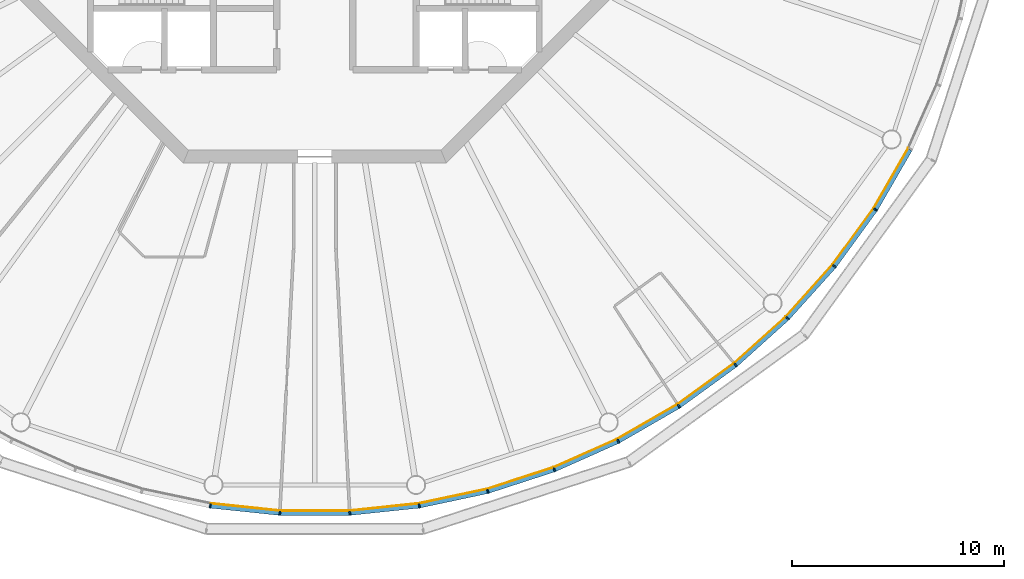
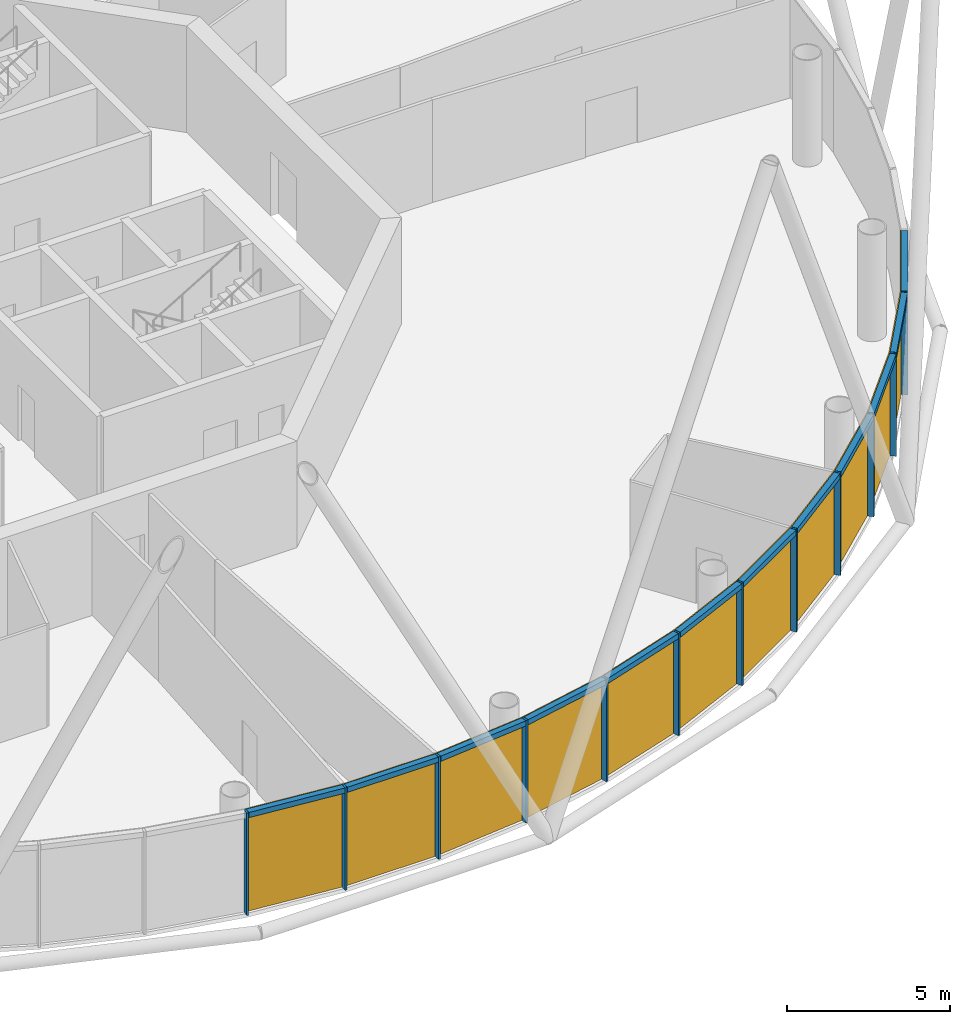
# One storey, part 8 of 13: 24 members, 4 curtain walls.
"""IFC4 building model written with IfcOpenShell, lengths in metres."""

from ifc_helpers import new_model, si_unit, direction, frame, origin, origin_2d, place, context, subcontext, project, spatial, polyline, rectangle, outline, extrude, material, layer, layer_set, material_profile, profile_set, type_object, element, aggregate, save


model = new_model("IFC4")

# Units and contexts
model_context = context("Model", 3, precision=1e-05, world=origin(), true_north=direction((0.0, 1.0)))
body_context = subcontext(model_context, "Body", "Model", "MODEL_VIEW")
ifc_project = project(units=[si_unit("LENGTHUNIT", "METRE"), si_unit("AREAUNIT", "SQUARE_METRE"), si_unit("VOLUMEUNIT", "CUBIC_METRE"), si_unit("PLANEANGLEUNIT", "RADIAN"), si_unit("MASSUNIT", "GRAM", prefix="KILO")], contexts=[model_context])

# Member
ifc_material_1 = material(Name="Anodised aluminium", Category="aluminium")
ifc_material_profile_1 = material_profile(ifc_material_1, rectangle(XDim=0.070068359375, YDim=0.205078125, at=origin_2d()), Name="Mullion 70 x 205 mm anodised aluminium")
ifc_profile_set_1 = profile_set([ifc_material_profile_1], Name="Anodised aluminium")
member_type_1 = type_object("IfcMemberType", Name="Mullion 70 x 205 mm anodised aluminium", PredefinedType="MULLION", material=ifc_profile_set_1)
site_placement = place(None, origin())
building_placement = place(site_placement, origin())
storey_placement = place(building_placement, frame((0.0, 0.0, 372.0)))
member_1_placement = place(storey_placement, frame((85.056396484375, 48.78662109375, 0.0), z_axis=(0.0, 0.0, 1.0), x_axis=(0.987688340595, -0.15643446504, 0.0)))
member_1 = element("IfcMember", 1, at=member_1_placement, type_object=member_type_1, Name="MULLION L86-42", PredefinedType="MULLION", context=body_context, shape_type="SweptSolid", body=[
    extrude(rectangle(XDim=0.070068359375, YDim=0.205078125, at=origin_2d()), origin(), (0.0, 0.0, 1.0), 3.85009765625),
])

member_2_placement = place(storey_placement, frame((88.345947265625, 48.44091796875, 0.0), z_axis=(0.0, 0.0, 1.0), x_axis=(0.998629534755, -0.052335956243, 0.0)))
member_2 = element("IfcMember", 2, at=member_2_placement, type_object=member_type_1, Name="MULLION L86-43", PredefinedType="MULLION", context=body_context, shape_type="SweptSolid", body=[
    extrude(rectangle(XDim=0.070068359375, YDim=0.205078125, at=origin_2d()), origin(), (0.0, 0.0, 1.0), 3.85009765625),
])

member_3_placement = place(storey_placement, frame((91.654052734375, 48.44091796875, 0.0), z_axis=(0.0, 0.0, 1.0), x_axis=(0.998629534755, 0.052335956243, 0.0)))
member_3 = element("IfcMember", 3, at=member_3_placement, type_object=member_type_1, Name="MULLION L86-44", PredefinedType="MULLION", context=body_context, shape_type="SweptSolid", body=[
    extrude(rectangle(XDim=0.070068359375, YDim=0.205078125, at=origin_2d()), origin(), (0.0, 0.0, 1.0), 3.85009765625),
])

member_4_placement = place(storey_placement, frame((94.943603515625, 48.78662109375, 0.0), z_axis=(0.0, 0.0, 1.0), x_axis=(0.987688340595, 0.15643446504, 0.0)))
member_4 = element("IfcMember", 4, at=member_4_placement, type_object=member_type_1, Name="MULLION L86-45", PredefinedType="MULLION", context=body_context, shape_type="SweptSolid", body=[
    extrude(rectangle(XDim=0.070068359375, YDim=0.205078125, at=origin_2d()), origin(), (0.0, 0.0, 1.0), 3.85009765625),
])

member_5_placement = place(storey_placement, frame((98.179443359375, 49.474365234375, 0.0), z_axis=(0.0, 0.0, 1.0), x_axis=(0.965925826289, 0.258819045103, 0.0)))
member_5 = element("IfcMember", 5, at=member_5_placement, type_object=member_type_1, Name="MULLION L86-46", PredefinedType="MULLION", context=body_context, shape_type="SweptSolid", body=[
    extrude(rectangle(XDim=0.070068359375, YDim=0.205078125, at=origin_2d()), origin(), (0.0, 0.0, 1.0), 3.85009765625),
])

member_6_placement = place(storey_placement, frame((101.325439453125, 50.49658203125, 0.0), z_axis=(0.0, 0.0, 1.0), x_axis=(0.933580426497, 0.358367949545, 0.0)))
member_6 = element("IfcMember", 6, at=member_6_placement, type_object=member_type_1, Name="MULLION L86-47", PredefinedType="MULLION", context=body_context, shape_type="SweptSolid", body=[
    extrude(rectangle(XDim=0.070068359375, YDim=0.205078125, at=origin_2d()), origin(), (0.0, 0.0, 1.0), 3.85009765625),
])

member_7_placement = place(storey_placement, frame((104.34716796875, 51.842041015625, 0.0), z_axis=(0.0, 0.0, 1.0), x_axis=(0.891006524188, 0.45399049974, 0.0)))
member_7 = element("IfcMember", 7, at=member_7_placement, type_object=member_type_1, Name="MULLION L86-48", PredefinedType="MULLION", context=body_context, shape_type="SweptSolid", body=[
    extrude(rectangle(XDim=0.070068359375, YDim=0.205078125, at=origin_2d()), origin(), (0.0, 0.0, 1.0), 3.85009765625),
])

member_8_placement = place(storey_placement, frame((107.2119140625, 53.495849609375, 0.0), z_axis=(0.0, 0.0, 1.0), x_axis=(0.838670567945, 0.544639035015, 0.0)))
member_8 = element("IfcMember", 8, at=member_8_placement, type_object=member_type_1, Name="MULLION L86-49", PredefinedType="MULLION", context=body_context, shape_type="SweptSolid", body=[
    extrude(rectangle(XDim=0.070068359375, YDim=0.205078125, at=origin_2d()), origin(), (0.0, 0.0, 1.0), 3.85009765625),
])

member_9_placement = place(storey_placement, frame((109.88818359375, 55.440185546875, 0.0), z_axis=(0.0, 0.0, 1.0), x_axis=(0.777145961457, 0.62932039105, 0.0)))
member_9 = element("IfcMember", 9, at=member_9_placement, type_object=member_type_1, Name="MULLION L86-50", PredefinedType="MULLION", context=body_context, shape_type="SweptSolid", body=[
    extrude(rectangle(XDim=0.070068359375, YDim=0.205078125, at=origin_2d()), origin(), (0.0, 0.0, 1.0), 3.85009765625),
])

member_10_placement = place(storey_placement, frame((112.346435546875, 57.653564453125, 0.0), z_axis=(0.0, 0.0, 1.0), x_axis=(0.707106781187, 0.707106781187, 0.0)))
member_10 = element("IfcMember", 10, at=member_10_placement, type_object=member_type_1, Name="MULLION L86-51", PredefinedType="MULLION", context=body_context, shape_type="SweptSolid", body=[
    extrude(rectangle(XDim=0.070068359375, YDim=0.205078125, at=origin_2d()), origin(), (0.0, 0.0, 1.0), 3.85009765625),
])

member_11_placement = place(storey_placement, frame((114.559814453125, 60.11181640625, 0.0), z_axis=(0.0, 0.0, 1.0), x_axis=(0.62932039105, 0.777145961457, 0.0)))
member_11 = element("IfcMember", 11, at=member_11_placement, type_object=member_type_1, Name="MULLION L86-52", PredefinedType="MULLION", context=body_context, shape_type="SweptSolid", body=[
    extrude(rectangle(XDim=0.070068359375, YDim=0.205078125, at=origin_2d()), origin(), (0.0, 0.0, 1.0), 3.85009765625),
])

member_12_placement = place(storey_placement, frame((116.504150390625, 62.7880859375, 0.0), z_axis=(0.0, 0.0, 1.0), x_axis=(0.544639035015, 0.838670567945, 0.0)))
member_12 = element("IfcMember", 12, at=member_12_placement, type_object=member_type_1, Name="MULLION L86-53", PredefinedType="MULLION", context=body_context, shape_type="SweptSolid", body=[
    extrude(rectangle(XDim=0.070068359375, YDim=0.205078125, at=origin_2d()), origin(), (0.0, 0.0, 1.0), 3.85009765625),
])

ifc_material_2 = material(Name="Anodised aluminium", Category="aluminium")
ifc_material_profile_2 = material_profile(ifc_material_2, rectangle(XDim=0.205078125, YDim=0.195068359375, at=origin_2d()), Name="Transom 195 x 205 mm anodised aluminium")
ifc_profile_set_2 = profile_set([ifc_material_profile_2], Name="Anodised aluminium")
member_type_2 = type_object("IfcMemberType", Name="Transom 195 x 205 mm anodised aluminium", PredefinedType="USERDEFINED", material=ifc_profile_set_2)
member_13_placement = place(storey_placement, frame((85.096435546875, 48.7822265625, 3.75244140625), z_axis=(0.994519537956, -0.104550890115, 0.0), x_axis=(0.104550890115, 0.994519537956, 0.0)))
member_13 = element("IfcMember", 13, at=member_13_placement, type_object=member_type_2, Name="TRANSOM L86-42", ObjectType="TRANSOM", PredefinedType="USERDEFINED", context=body_context, shape_type="SweptSolid", body=[
    extrude(rectangle(XDim=0.205078125, YDim=0.195068359375, at=origin_2d()), origin(), (0.0, 0.0, 1.0), 3.22705078125),
])

member_14_placement = place(storey_placement, frame((88.386474609375, 48.440673828125, 3.75244140625), z_axis=(1.0, 0.0, 0.0), x_axis=(0.0, 1.0, 0.0)))
member_14 = element("IfcMember", 14, at=member_14_placement, type_object=member_type_2, Name="TRANSOM L86-43", ObjectType="TRANSOM", PredefinedType="USERDEFINED", context=body_context, shape_type="SweptSolid", body=[
    extrude(rectangle(XDim=0.205078125, YDim=0.195068359375, at=origin_2d()), origin(), (0.0, 0.0, 1.0), 3.22705078125),
])

member_15_placement = place(storey_placement, frame((91.694091796875, 48.44482421875, 3.75244140625), z_axis=(0.994519537956, 0.104550890115, 0.0), x_axis=(-0.104550890115, 0.994519537956, 0.0)))
member_15 = element("IfcMember", 15, at=member_15_placement, type_object=member_type_2, Name="TRANSOM L86-44", ObjectType="TRANSOM", PredefinedType="USERDEFINED", context=body_context, shape_type="SweptSolid", body=[
    extrude(rectangle(XDim=0.205078125, YDim=0.195068359375, at=origin_2d()), origin(), (0.0, 0.0, 1.0), 3.22705078125),
])

member_16_placement = place(storey_placement, frame((94.983154296875, 48.794921875, 3.75244140625), z_axis=(0.978153082647, 0.207885898771, 0.0), x_axis=(-0.207885898771, 0.978153082647, 0.0)))
member_16 = element("IfcMember", 16, at=member_16_placement, type_object=member_type_2, Name="TRANSOM L86-45", ObjectType="TRANSOM", PredefinedType="USERDEFINED", context=body_context, shape_type="SweptSolid", body=[
    extrude(rectangle(XDim=0.205078125, YDim=0.195068359375, at=origin_2d()), origin(), (0.0, 0.0, 1.0), 3.227294921875),
])

member_17_placement = place(storey_placement, frame((98.2177734375, 49.486572265625, 3.75244140625), z_axis=(0.951046855117, 0.309046726844, 0.0), x_axis=(-0.309046726844, 0.951046855117, 0.0)))
member_17 = element("IfcMember", 17, at=member_17_placement, type_object=member_type_2, Name="TRANSOM L86-46", ObjectType="TRANSOM", PredefinedType="USERDEFINED", context=body_context, shape_type="SweptSolid", body=[
    extrude(rectangle(XDim=0.205078125, YDim=0.195068359375, at=origin_2d()), origin(), (0.0, 0.0, 1.0), 3.22705078125),
])

member_18_placement = place(storey_placement, frame((101.3623046875, 50.5126953125, 3.75244140625), z_axis=(0.913521178731, 0.406791170024, 0.0), x_axis=(-0.406791170024, 0.913521178731, 0.0)))
member_18 = element("IfcMember", 18, at=member_18_placement, type_object=member_type_2, Name="TRANSOM L86-47", ObjectType="TRANSOM", PredefinedType="USERDEFINED", context=body_context, shape_type="SweptSolid", body=[
    extrude(rectangle(XDim=0.205078125, YDim=0.195068359375, at=origin_2d()), origin(), (0.0, 0.0, 1.0), 3.22705078125),
])

member_19_placement = place(storey_placement, frame((104.38232421875, 51.862060546875, 3.75244140625), z_axis=(0.866023062494, 0.500004055213, 0.0), x_axis=(-0.500004055213, 0.866023062494, 0.0)))
member_19 = element("IfcMember", 19, at=member_19_placement, type_object=member_type_2, Name="TRANSOM L86-48", ObjectType="TRANSOM", PredefinedType="USERDEFINED", context=body_context, shape_type="SweptSolid", body=[
    extrude(rectangle(XDim=0.205078125, YDim=0.195068359375, at=origin_2d()), origin(), (0.0, 0.0, 1.0), 3.22705078125),
])

member_20_placement = place(storey_placement, frame((107.24462890625, 53.51953125, 3.75244140625), z_axis=(0.809004252048, 0.587802790201, 0.0), x_axis=(-0.587802790201, 0.809004252048, 0.0)))
member_20 = element("IfcMember", 20, at=member_20_placement, type_object=member_type_2, Name="TRANSOM L86-49", ObjectType="TRANSOM", PredefinedType="USERDEFINED", context=body_context, shape_type="SweptSolid", body=[
    extrude(rectangle(XDim=0.205078125, YDim=0.195068359375, at=origin_2d()), origin(), (0.0, 0.0, 1.0), 3.227294921875),
])

member_21_placement = place(storey_placement, frame((109.918212890625, 55.467041015625, 3.75244140625), z_axis=(0.743132370743, 0.669144438484, 0.0), x_axis=(-0.669144438484, 0.743132370743, 0.0)))
member_21 = element("IfcMember", 21, at=member_21_placement, type_object=member_type_2, Name="TRANSOM L86-50", ObjectType="TRANSOM", PredefinedType="USERDEFINED", context=body_context, shape_type="SweptSolid", body=[
    extrude(rectangle(XDim=0.205078125, YDim=0.195068359375, at=origin_2d()), origin(), (0.0, 0.0, 1.0), 3.22705078125),
])

member_22_placement = place(storey_placement, frame((112.37353515625, 57.68359375, 3.75244140625), z_axis=(0.669144438484, 0.743132370743, 0.0), x_axis=(-0.743132370743, 0.669144438484, 0.0)))
member_22 = element("IfcMember", 22, at=member_22_placement, type_object=member_type_2, Name="TRANSOM L86-51", ObjectType="TRANSOM", PredefinedType="USERDEFINED", context=body_context, shape_type="SweptSolid", body=[
    extrude(rectangle(XDim=0.205078125, YDim=0.195068359375, at=origin_2d()), origin(), (0.0, 0.0, 1.0), 3.22705078125),
])

member_23_placement = place(storey_placement, frame((114.58349609375, 60.14453125, 3.75244140625), z_axis=(0.587802790201, 0.809004252048, 0.0), x_axis=(-0.809004252048, 0.587802790201, 0.0)))
member_23 = element("IfcMember", 23, at=member_23_placement, type_object=member_type_2, Name="TRANSOM L86-52", ObjectType="TRANSOM", PredefinedType="USERDEFINED", context=body_context, shape_type="SweptSolid", body=[
    extrude(rectangle(XDim=0.205078125, YDim=0.195068359375, at=origin_2d()), origin(), (0.0, 0.0, 1.0), 3.227294921875),
])

member_24_placement = place(storey_placement, frame((116.5244140625, 62.822998046875, 3.75244140625), z_axis=(0.500004055213, 0.866023062494, 0.0), x_axis=(-0.866023062494, 0.500004055213, 0.0)))
member_24 = element("IfcMember", 24, at=member_24_placement, type_object=member_type_2, Name="TRANSOM L86-53", ObjectType="TRANSOM", PredefinedType="USERDEFINED", context=body_context, shape_type="SweptSolid", body=[
    extrude(rectangle(XDim=0.205078125, YDim=0.195068359375, at=origin_2d()), origin(), (0.0, 0.0, 1.0), 3.22705078125),
])

# Site, building, storey
site = spatial("IfcSite", under=ifc_project, at=site_placement, CompositionType="ELEMENT")
building = spatial("IfcBuilding", under=site, at=building_placement, Name="Entoto Ring Tower", CompositionType="ELEMENT")
storey = spatial("IfcBuildingStorey", under=building, at=storey_placement, Name="L86", CompositionType="ELEMENT", Elevation=372.0)

# Curtain wall
ifc_material_3 = material(Name="Clear low-iron glass", Category="glass")
ifc_layer = layer(ifc_material_3, 0.035888671875)
ifc_layer_set = layer_set([ifc_layer], Name="Clear low-iron glass")
curtain_wall_type = type_object("IfcCurtainWallType", Name="Curtain wall system CW6 glazing 36 mm", PredefinedType="NOTDEFINED", material=ifc_layer_set)
curtain_wall_1_placement = place(storey_placement, origin())
curtain_wall_1 = element("IfcCurtainWall", 25, at=curtain_wall_1_placement, inside=storey, type_object=curtain_wall_type, Name="CW6 L86-15", PredefinedType="NOTDEFINED", context=body_context, shape_type="SweptSolid", body=[
    extrude(outline(polyline([(85.072265625, 48.8876953125), (88.351318359375, 48.543212890625), (91.648681640625, 48.543212890625), (94.927734375, 48.8876953125), (94.922119140625, 48.92333984375), (91.646728515625, 48.5791015625), (88.353271484375, 48.5791015625), (85.077880859375, 48.92333984375), (85.072265625, 48.8876953125)])), origin(), (0.0, 0.0, 1.0), 3.85009765625),
])

aggregate(curtain_wall_1, [member_1, member_2, member_3, member_13, member_14, member_15])

curtain_wall_2_placement = place(storey_placement, origin())
curtain_wall_2 = element("IfcCurtainWall", 26, at=curtain_wall_2_placement, inside=storey, type_object=curtain_wall_type, Name="CW6 L86-16", PredefinedType="NOTDEFINED", context=body_context, shape_type="SweptSolid", body=[
    extrude(outline(polyline([(94.927734375, 48.8876953125), (98.15283203125, 49.5732421875), (101.28857421875, 50.59228515625), (104.30078125, 51.933349609375), (104.284423828125, 51.96533203125), (101.275634765625, 50.6259765625), (98.1435546875, 49.608154296875), (94.922119140625, 48.92333984375), (94.927734375, 48.8876953125)])), origin(), (0.0, 0.0, 1.0), 3.85009765625),
])

aggregate(curtain_wall_2, [member_4, member_5, member_6, member_16, member_17, member_18])

curtain_wall_3_placement = place(storey_placement, origin())
curtain_wall_3 = element("IfcCurtainWall", 27, at=curtain_wall_3_placement, inside=storey, type_object=curtain_wall_type, Name="CW6 L86-17", PredefinedType="NOTDEFINED", context=body_context, shape_type="SweptSolid", body=[
    extrude(outline(polyline([(104.30078125, 51.933349609375), (107.15625, 53.581787109375), (109.823486328125, 55.52001953125), (112.27392578125, 57.72607421875), (112.248291015625, 57.751708984375), (109.801025390625, 55.5478515625), (107.136474609375, 53.612060546875), (104.284423828125, 51.96533203125), (104.30078125, 51.933349609375)])), origin(), (0.0, 0.0, 1.0), 3.85009765625),
])

aggregate(curtain_wall_3, [member_7, member_8, member_9, member_19, member_20, member_21])

curtain_wall_4_placement = place(storey_placement, origin())
curtain_wall_4 = element("IfcCurtainWall", 28, at=curtain_wall_4_placement, inside=storey, type_object=curtain_wall_type, Name="CW6 L86-18", PredefinedType="NOTDEFINED", context=body_context, shape_type="SweptSolid", body=[
    extrude(outline(polyline([(112.27392578125, 57.72607421875), (114.47998046875, 60.176513671875), (116.418212890625, 62.84375), (118.066650390625, 65.69921875), (118.03466796875, 65.715576171875), (116.387939453125, 62.863525390625), (114.4521484375, 60.198974609375), (112.248291015625, 57.751708984375), (112.27392578125, 57.72607421875)])), origin(), (0.0, 0.0, 1.0), 3.85009765625),
])

aggregate(curtain_wall_4, [member_10, member_11, member_12, member_22, member_23, member_24])

save(model, "model.ifc")
